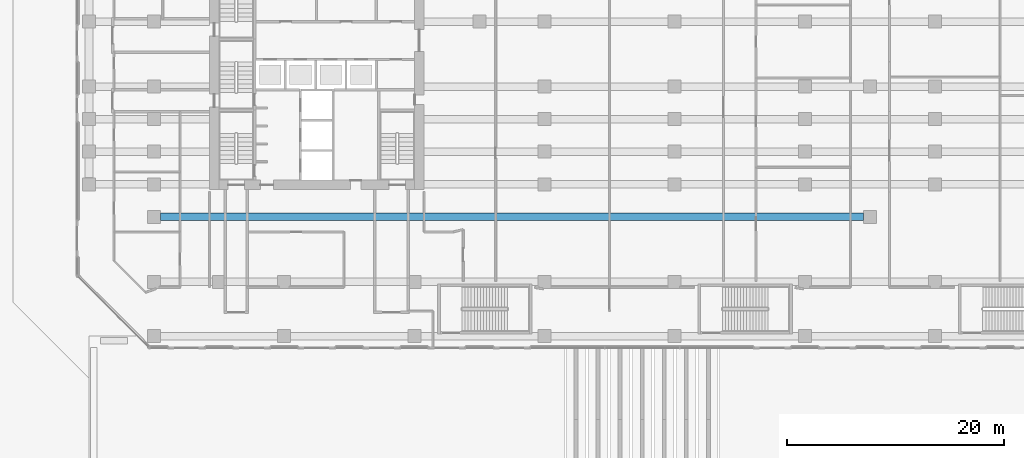
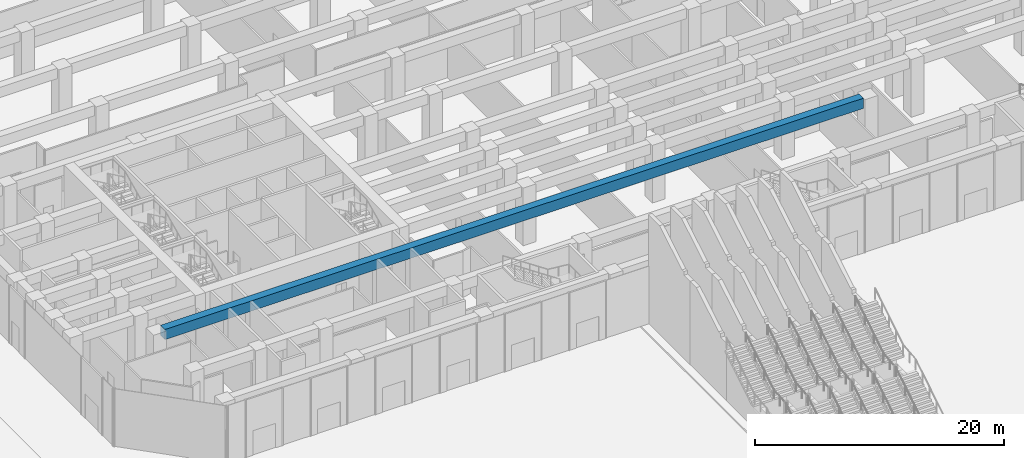
# One storey, part 4 of 32: 1 beam.
"""IFC4 building model written with IfcOpenShell, lengths in metres."""

from ifc_helpers import new_model, si_unit, direction, frame, origin, origin_2d, place, context, subcontext, project, spatial, rectangle, extrude, material, material_profile, profile_set, type_object, element, save


model = new_model("IFC4")

# Units and contexts
model_context = context("Model", 3, precision=1e-05, world=origin(), true_north=direction((0.0, 1.0)))
body_context = subcontext(model_context, "Body", "Model", "MODEL_VIEW")
ifc_project = project(units=[si_unit("LENGTHUNIT", "METRE"), si_unit("AREAUNIT", "SQUARE_METRE"), si_unit("VOLUMEUNIT", "CUBIC_METRE"), si_unit("PLANEANGLEUNIT", "RADIAN"), si_unit("MASSUNIT", "GRAM", prefix="KILO")], contexts=[model_context])

# Site, building, storey
site_placement = place(None, origin())
site = spatial("IfcSite", under=ifc_project, at=site_placement, CompositionType="ELEMENT")
building_placement = place(site_placement, origin())
building = spatial("IfcBuilding", under=site, at=building_placement, Name="Welwitschia Terrace Campus", CompositionType="ELEMENT")
storey_placement = place(building_placement, origin())
storey = spatial("IfcBuildingStorey", under=building, at=storey_placement, Name="L00", CompositionType="ELEMENT", Elevation=0.0)

# Beam
ifc_material = material(Name="Concrete C60/75", Category="concrete")
ifc_material_profile = material_profile(ifc_material, rectangle(XDim=0.699951171875, YDim=1.0, at=origin_2d()))
ifc_profile_set = profile_set([ifc_material_profile], Name="Concrete C60/75")
beam_type = type_object("IfcBeamType", Name="Base block beam 700x1000", PredefinedType="BEAM", material=ifc_profile_set)
beam_placement = place(storey_placement, frame((0.6005859375, 2.0, 5.14990234375), z_axis=(1.0, 0.0, 0.0), x_axis=(0.0, 1.0, 0.0)))
element("IfcBeam", 1, at=beam_placement, inside=storey, type_object=beam_type, Name="Beam BB1", PredefinedType="BEAM", context=body_context, shape_type="SweptSolid", body=[
    extrude(rectangle(XDim=0.699951171875, YDim=1.0, at=origin_2d()), origin(), (0.0, 0.0, 1.0), 64.798828125),
])

save(model, "model.ifc")
